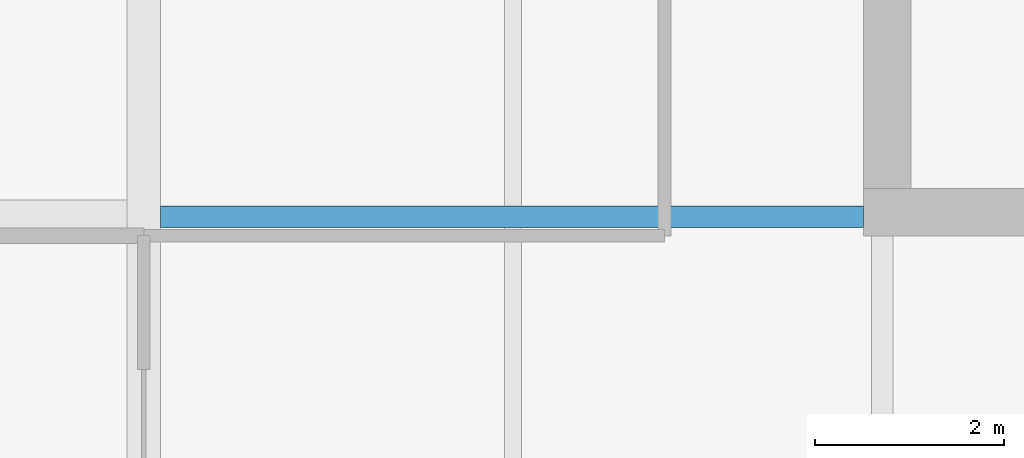
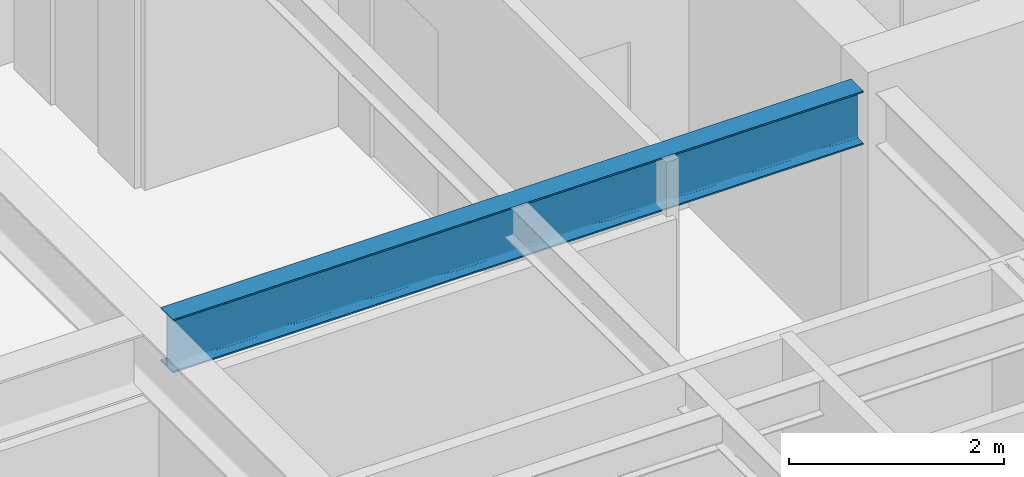
# One storey, part 8 of 33: 1 beam.
"""IFC4 building model written with IfcOpenShell, lengths in metres."""

from ifc_helpers import new_model, si_unit, direction, frame, origin, origin_2d, place, context, subcontext, project, spatial, i_section, extrude, material, material_profile, profile_set, type_object, element, save


model = new_model("IFC4")

# Units and contexts
model_context = context("Model", 3, precision=1e-05, world=origin(), true_north=direction((0.0, 1.0)))
body_context = subcontext(model_context, "Body", "Model", "MODEL_VIEW")
ifc_project = project(units=[si_unit("LENGTHUNIT", "METRE"), si_unit("AREAUNIT", "SQUARE_METRE"), si_unit("VOLUMEUNIT", "CUBIC_METRE"), si_unit("PLANEANGLEUNIT", "RADIAN"), si_unit("MASSUNIT", "GRAM", prefix="KILO")], contexts=[model_context])

# Site, building, storey
site_placement = place(None, origin())
site = spatial("IfcSite", under=ifc_project, at=site_placement, CompositionType="ELEMENT")
building_placement = place(site_placement, origin())
building = spatial("IfcBuilding", under=site, at=building_placement, Name="Drelvath Grand Hotel", CompositionType="ELEMENT")
storey_placement = place(building_placement, frame((0.0, 0.0, 178.800048828125)))
storey = spatial("IfcBuildingStorey", under=building, at=storey_placement, Name="L46", CompositionType="ELEMENT", Elevation=178.800048828125)

# Beam
ifc_material = material(Name="Steel ASTM A992 Gr 50", Category="steel")
ifc_material_profile = material_profile(ifc_material, i_section(OverallWidth=0.228271484375, OverallDepth=0.607666015625, WebThickness=0.01123046875, FlangeThickness=0.017333984375, FilletRadius=0.02001953125, at=origin_2d()), Name="W24X76")
ifc_profile_set = profile_set([ifc_material_profile], Name="Steel ASTM A992 Gr 50")
beam_type = type_object("IfcBeamType", Name="Primary Floor Girder W24X76", PredefinedType="BEAM", material=ifc_profile_set)
beam_placement = place(storey_placement, frame((-16.022705078125, 18.60009765625, 2.986083984375), z_axis=(1.0, 0.0, 0.0), x_axis=(0.0, 1.0, 0.0)))
element("IfcBeam", 1, at=beam_placement, inside=storey, type_object=beam_type, Name="L46 West Core Tie D", PredefinedType="BEAM", context=body_context, shape_type="SweptSolid", body=[
    extrude(i_section(OverallWidth=0.228271484375, OverallDepth=0.607666015625, WebThickness=0.01123046875, FlangeThickness=0.017333984375, FilletRadius=0.02001953125, at=origin_2d()), origin(), (0.0, 0.0, 1.0), 7.422607421875),
])

save(model, "model.ifc")
